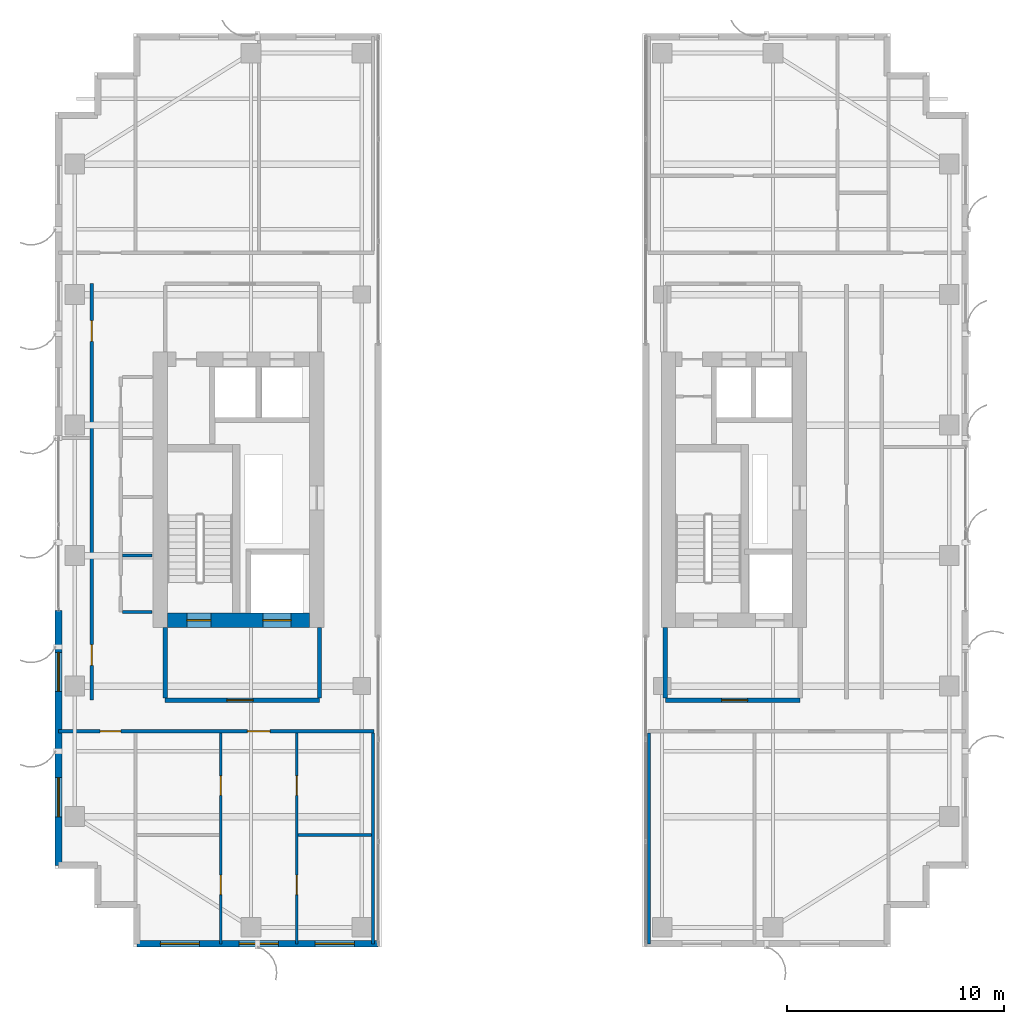
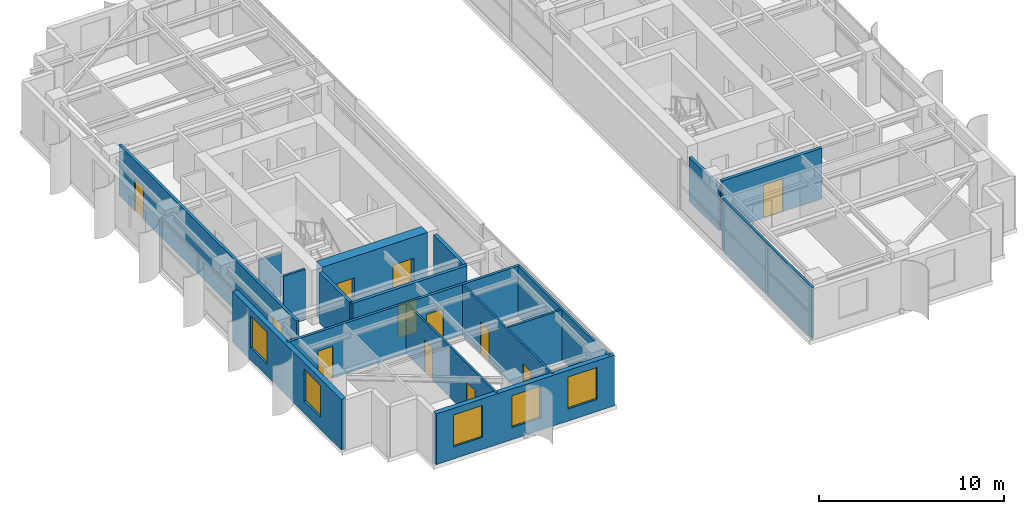
# One storey, part 16 of 22: 17 walls, 12 doors, 5 windows, 17 openings.
"""IFC4 building model written with IfcOpenShell, lengths in metres."""

from ifc_helpers import new_model, si_unit, direction, frame, frame_2d, origin, place, context, subcontext, project, spatial, rectangle, extrude, source, transform, mapped, material, layer, layer_set, type_object, element, fill, save


model = new_model("IFC4")

# Units and contexts
model_context = context("Model", 3, precision=1e-05, world=origin(), true_north=direction((0.0, 1.0)))
body_context = subcontext(model_context, "Body", "Model", "MODEL_VIEW")
ifc_project = project(units=[si_unit("LENGTHUNIT", "METRE"), si_unit("AREAUNIT", "SQUARE_METRE"), si_unit("VOLUMEUNIT", "CUBIC_METRE"), si_unit("PLANEANGLEUNIT", "RADIAN"), si_unit("MASSUNIT", "GRAM", prefix="KILO")], contexts=[model_context])

# Site, building, storey
site_placement = place(None, origin())
site = spatial("IfcSite", under=ifc_project, at=site_placement, CompositionType="ELEMENT")
building_placement = place(site_placement, origin())
building = spatial("IfcBuilding", under=site, at=building_placement, Name="Khoralis Quay Care Tower", CompositionType="ELEMENT")
storey_placement = place(building_placement, frame((0.0, 0.0, 209.699951171875)))
storey = spatial("IfcBuildingStorey", under=building, at=storey_placement, Name="L55", CompositionType="ELEMENT", Elevation=209.699951171875)

# Wall, opening, door
ifc_material_1 = material(Name="Gypsum plasterboard on acoustic metal stud")
ifc_layer_1 = layer(ifc_material_1, 0.199951171875)
ifc_layer_set_1 = layer_set([ifc_layer_1], Name="Gypsum plasterboard on acoustic metal stud")
wall_type_1 = type_object("IfcWallType", Name="WL-COMP-200", PredefinedType="PARTITIONING", material=ifc_layer_set_1)
wall_1_placement = place(storey_placement, frame((8.050048828125, 11.35009765625, 0.0), z_axis=(0.0, 0.0, 1.0), x_axis=(1.0, 0.0, 0.0)))
wall_1 = element("IfcWall", 1, at=wall_1_placement, inside=storey, type_object=wall_type_1, Name="L55 West Firefighting Lobby South Wall", PredefinedType="PARTITIONING", context=body_context, shape_type="SweptSolid", body=[
    extrude(rectangle(XDim=7.099853515625, YDim=0.199951171875, at=frame_2d((3.5498046875, 0.0))), origin(), (0.0, 0.0, 1.0), 3.340087890625),
])
opening_1_placement = place(wall_1_placement, frame((2.846435546875, 0.0, 0.0)))
opening_1 = element("IfcOpeningElement", 2, at=opening_1_placement, cuts=wall_1, Name="Opening FD1", PredefinedType="OPENING", context=body_context, shape_type="SweptSolid", body=[
    extrude(rectangle(XDim=1.199951171875, YDim=2.199951171875, at=frame_2d((0.60009765625, 1.10009765625))), frame((0.0, 0.10986328125, 0.0), z_axis=(0.0, -1.0, 0.0), x_axis=(1.0, 0.0, 0.0)), (0.0, 0.0, 1.0), 0.219970703125),
])
ifc_material_2 = material(Name="Fire-rated painted steel", Category="steel")
door_type_1 = type_object("IfcDoorType", Name="DR-FFL-1200X2200", OperationType="NOTDEFINED", PredefinedType="DOOR", material=ifc_material_2)
shared_shape_1 = source(origin(), body_context, "Body", "SweptSolid", [
    extrude(rectangle(XDim=1.199951171875, YDim=2.199951171875, at=frame_2d((0.60009765625, 1.10009765625))), frame((0.0, 0.02490234375, 0.0), z_axis=(0.0, -1.0, 0.0), x_axis=(1.0, 0.0, 0.0)), (0.0, 0.0, 1.0), 0.050048828125),
])
door_1_placement = place(opening_1_placement, origin())
door_1 = element("IfcDoor", 3, at=door_1_placement, inside=storey, type_object=door_type_1, Name="L55 West Firefighting Lobby Fire Door", OperationType="SINGLE_SWING_LEFT", OverallHeight=2.199951171875, OverallWidth=1.199951171875, PredefinedType="DOOR", context=body_context, shape_type="MappedRepresentation", body=[
    mapped(shared_shape_1, transform((0.0, 0.0, 0.0), scale=1.0)),
])
fill(opening_1, door_1)

# Walls
for number, where, z_axis, x_axis, name in (
    (4, (8.050048828125, 11.445068359375, 0.0), (0.0, 0.0, 1.0), (0.0, 1.0, 0.0), "L55 West Firefighting Lobby West Wall"),
    (5, (15.14990234375, 11.445068359375, 0.0), (0.0, 0.0, 1.0), (0.0, 1.0, 0.0), "L55 West Firefighting Lobby East Wall"),
):
    element("IfcWall", number, at=place(storey_placement, frame(where, z_axis=z_axis, x_axis=x_axis)), inside=storey, type_object=wall_type_1, Name=name, PredefinedType="PARTITIONING", context=body_context, shape_type="SweptSolid", body=[
        extrude(rectangle(XDim=3.23486328125, YDim=0.199951171875, at=frame_2d((1.617431640625, 0.0))), origin(), (0.0, 0.0, 1.0), 3.340087890625),
    ])

# Wall, opening, door
wall_2_placement = place(storey_placement, frame((31.050048828125, 11.35009765625, 0.0), z_axis=(0.0, 0.0, 1.0), x_axis=(1.0, 0.0, 0.0)))
wall_2 = element("IfcWall", 6, at=wall_2_placement, inside=storey, type_object=wall_type_1, Name="L55 East Firefighting Lobby South Wall", PredefinedType="PARTITIONING", context=body_context, shape_type="SweptSolid", body=[
    extrude(rectangle(XDim=6.199951171875, YDim=0.199951171875, at=frame_2d((3.10009765625, 0.0))), origin(), (0.0, 0.0, 1.0), 3.340087890625),
])
opening_2_placement = place(wall_2_placement, frame((2.585693359375, 0.0, 0.0)))
opening_2 = element("IfcOpeningElement", 7, at=opening_2_placement, cuts=wall_2, Name="Opening FD1", PredefinedType="OPENING", context=body_context, shape_type="SweptSolid", body=[
    extrude(rectangle(XDim=1.199951171875, YDim=2.199951171875, at=frame_2d((0.60009765625, 1.10009765625))), frame((0.0, 0.10986328125, 0.0), z_axis=(0.0, -1.0, 0.0), x_axis=(1.0, 0.0, 0.0)), (0.0, 0.0, 1.0), 0.219970703125),
])
door_2_placement = place(opening_2_placement, origin())
door_2 = element("IfcDoor", 8, at=door_2_placement, inside=storey, type_object=door_type_1, Name="L55 East Firefighting Lobby Fire Door", OperationType="SINGLE_SWING_RIGHT", OverallHeight=2.199951171875, OverallWidth=1.199951171875, PredefinedType="DOOR", context=body_context, shape_type="MappedRepresentation", body=[
    mapped(shared_shape_1, transform((0.0, 0.0, 0.0), scale=1.0)),
])
fill(opening_2, door_2)

# Wall
wall_3_placement = place(storey_placement, frame((31.050048828125, 11.445068359375, 0.0), z_axis=(0.0, 0.0, 1.0), x_axis=(0.0, 1.0, 0.0)))
element("IfcWall", 9, at=wall_3_placement, inside=storey, type_object=wall_type_1, Name="L55 East Firefighting Lobby West Wall", PredefinedType="PARTITIONING", context=body_context, shape_type="SweptSolid", body=[
    extrude(rectangle(XDim=3.23486328125, YDim=0.199951171875, at=frame_2d((1.617431640625, 0.0))), origin(), (0.0, 0.0, 1.0), 2.881103515625),
])

# Wall, openings, doors
ifc_material_3 = material(Name="Concrete C65/80", Category="concrete")
ifc_layer_2 = layer(ifc_material_3, 0.64990234375)
ifc_layer_set_2 = layer_set([ifc_layer_2], Name="Concrete C65/80")
wall_type_2 = type_object("IfcWallType", Name="WL-CORE-650", PredefinedType="SHEAR", material=ifc_layer_set_2)
wall_4_placement = place(storey_placement, frame((8.14990234375, 15.02490234375, 0.0), z_axis=(0.0, 0.0, 1.0), x_axis=(1.0, 0.0, 0.0)))
wall_4 = element("IfcWall", 10, at=wall_4_placement, inside=storey, type_object=wall_type_2, Name="L55 WCORE South Shear Wall", PredefinedType="SHEAR", context=body_context, shape_type="SweptSolid", body=[
    extrude(rectangle(XDim=6.550048828125, YDim=0.64990234375, at=frame_2d((3.27490234375, 0.0))), origin(), (0.0, 0.0, 1.0), 3.60009765625),
])
opening_3_placement = place(wall_4_placement, frame((0.89990234375, 0.0, 0.0)))
opening_3 = element("IfcOpeningElement", 11, at=opening_3_placement, cuts=wall_4, Name="Opening SD1", PredefinedType="OPENING", context=body_context, shape_type="SweptSolid", body=[
    extrude(rectangle(XDim=1.10009765625, YDim=2.199951171875, at=frame_2d((0.550048828125, 1.10009765625))), frame((0.0, 0.3349609375, 0.0), z_axis=(0.0, -1.0, 0.0), x_axis=(1.0, 0.0, 0.0)), (0.0, 0.0, 1.0), 0.669921875),
])
opening_4_placement = place(wall_4_placement, frame((4.39990234375, 0.0, 0.0)))
opening_4 = element("IfcOpeningElement", 12, at=opening_4_placement, cuts=wall_4, Name="Opening LD2", PredefinedType="OPENING", context=body_context, shape_type="SweptSolid", body=[
    extrude(rectangle(XDim=1.300048828125, YDim=2.199951171875, at=frame_2d((0.64990234375, 1.10009765625))), frame((0.0, 0.3349609375, 0.0), z_axis=(0.0, -1.0, 0.0), x_axis=(1.0, 0.0, 0.0)), (0.0, 0.0, 1.0), 0.669921875),
])
door_type_2 = type_object("IfcDoorType", Name="DR-STAIR-1100X2200", OperationType="NOTDEFINED", PredefinedType="DOOR", material=ifc_material_2)
shared_shape_2 = source(origin(), body_context, "Body", "SweptSolid", [
    extrude(rectangle(XDim=1.10009765625, YDim=2.199951171875, at=frame_2d((0.550048828125, 1.10009765625))), frame((0.0, 0.02490234375, 0.0), z_axis=(0.0, -1.0, 0.0), x_axis=(1.0, 0.0, 0.0)), (0.0, 0.0, 1.0), 0.050048828125),
])
door_3_placement = place(opening_3_placement, origin())
door_3 = element("IfcDoor", 13, at=door_3_placement, inside=storey, type_object=door_type_2, Name="L55 Stair ST-T1 Fire Door", OperationType="SINGLE_SWING_LEFT", OverallHeight=2.199951171875, OverallWidth=1.10009765625, PredefinedType="DOOR", context=body_context, shape_type="MappedRepresentation", body=[
    mapped(shared_shape_2, transform((0.0, 0.0, 0.0), scale=1.0)),
])
fill(opening_3, door_3)
ifc_material_4 = material(Name="Brushed stainless steel", Category="steel")
door_type_3 = type_object("IfcDoorType", Name="DR-LIFT-1300X2200", OperationType="SLIDING_TO_RIGHT", PredefinedType="DOOR", material=ifc_material_4)
shared_shape_3 = source(origin(), body_context, "Body", "SweptSolid", [
    extrude(rectangle(XDim=1.300048828125, YDim=2.199951171875, at=frame_2d((0.64990234375, 1.10009765625))), frame((0.0, 0.02490234375, 0.0), z_axis=(0.0, -1.0, 0.0), x_axis=(1.0, 0.0, 0.0)), (0.0, 0.0, 1.0), 0.050048828125),
])
door_4_placement = place(opening_4_placement, origin())
door_4 = element("IfcDoor", 14, at=door_4_placement, inside=storey, type_object=door_type_3, Name="L55 Firefighting Lift FFL-1 Landing Door", OperationType="SLIDING_TO_RIGHT", OverallHeight=2.199951171875, OverallWidth=1.300048828125, PredefinedType="DOOR", context=body_context, shape_type="MappedRepresentation", body=[
    mapped(shared_shape_3, transform((0.0, 0.0, 0.0), scale=1.0)),
])
fill(opening_4, door_4)

ifc_layer_3 = layer(ifc_material_1, 0.1650390625)
ifc_layer_set_3 = layer_set([ifc_layer_3], Name="Gypsum plasterboard on acoustic metal stud")
wall_type_3 = type_object("IfcWallType", Name="WL-CORR-165", PredefinedType="PARTITIONING", material=ifc_layer_set_3)
wall_5_placement = place(storey_placement, frame((3.14501953125, 9.919921875, 0.0), z_axis=(0.0, 0.0, 1.0), x_axis=(1.0, 0.0, 0.0)))
wall_5 = element("IfcWall", 15, at=wall_5_placement, inside=storey, type_object=wall_type_3, Name="L55 West Wing South Corridor Wall", PredefinedType="PARTITIONING", context=body_context, shape_type="SweptSolid", body=[
    extrude(rectangle(XDim=14.5048828125, YDim=0.1650390625, at=frame_2d((7.25244140625, 0.0))), origin(), (0.0, 0.0, 1.0), 3.340087890625),
])
opening_5_placement = place(wall_5_placement, frame((8.6884765625, 0.0, 0.0)))
opening_5 = element("IfcOpeningElement", 16, at=opening_5_placement, cuts=wall_5, Name="Opening UD1", PredefinedType="OPENING", context=body_context, shape_type="SweptSolid", body=[
    extrude(rectangle(XDim=1.050048828125, YDim=2.14990234375, at=frame_2d((0.52490234375, 1.074951171875))), frame((0.0, 0.092529296875, 0.0), z_axis=(0.0, -1.0, 0.0), x_axis=(1.0, 0.0, 0.0)), (0.0, 0.0, 1.0), 0.18505859375),
])
opening_6_placement = place(wall_5_placement, frame((1.919921875, 0.0, 0.0)))
opening_6 = element("IfcOpeningElement", 17, at=opening_6_placement, cuts=wall_5, Name="Opening ID1", PredefinedType="OPENING", context=body_context, shape_type="SweptSolid", body=[
    extrude(rectangle(XDim=0.949951171875, YDim=2.10009765625, at=frame_2d((0.47509765625, 1.050048828125))), frame((0.0, 0.092529296875, 0.0), z_axis=(0.0, -1.0, 0.0), x_axis=(1.0, 0.0, 0.0)), (0.0, 0.0, 1.0), 0.18505859375),
])
ifc_material_5 = material(Name="Acoustic hardwood timber", Category="wood")
door_type_4 = type_object("IfcDoorType", Name="DR-ROOM-950X2100", OperationType="NOTDEFINED", PredefinedType="DOOR", material=ifc_material_5)
shared_shape_4 = source(origin(), body_context, "Body", "SweptSolid", [
    extrude(rectangle(XDim=0.949951171875, YDim=2.10009765625, at=frame_2d((0.47509765625, 1.050048828125))), frame((0.0, 0.02490234375, 0.0), z_axis=(0.0, -1.0, 0.0), x_axis=(1.0, 0.0, 0.0)), (0.0, 0.0, 1.0), 0.050048828125),
])
door_5_placement = place(opening_6_placement, frame((0.949951171875, 0.0, 0.0), z_axis=(0.0, 0.0, 1.0), x_axis=(-1.0, 0.0, 0.0)))
door_5 = element("IfcDoor", 18, at=door_5_placement, inside=storey, type_object=door_type_4, Name="L55 SW Corner Door", OperationType="SINGLE_SWING_LEFT", OverallHeight=2.10009765625, OverallWidth=0.949951171875, PredefinedType="DOOR", context=body_context, shape_type="MappedRepresentation", body=[
    mapped(shared_shape_4, transform((0.0, 0.0, 0.0), scale=1.0)),
])
fill(opening_6, door_5)
door_type_5 = type_object("IfcDoorType", Name="DR-SUITE-1050X2150", OperationType="NOTDEFINED", PredefinedType="DOOR", material=ifc_material_5)
shared_shape_5 = source(origin(), body_context, "Body", "SweptSolid", [
    extrude(rectangle(XDim=1.050048828125, YDim=2.14990234375, at=frame_2d((0.52490234375, 1.074951171875))), frame((0.0, 0.02490234375, 0.0), z_axis=(0.0, -1.0, 0.0), x_axis=(1.0, 0.0, 0.0)), (0.0, 0.0, 1.0), 0.050048828125),
])
door_6_placement = place(opening_5_placement, frame((1.050048828125, 0.0, 0.0), z_axis=(0.0, 0.0, 1.0), x_axis=(-1.0, 0.0, 0.0)))
door_6 = element("IfcDoor", 19, at=door_6_placement, inside=storey, type_object=door_type_5, Name="L55 2BR WS0 Entrance", OperationType="SINGLE_SWING_RIGHT", OverallHeight=2.14990234375, OverallWidth=1.050048828125, PredefinedType="DOOR", context=body_context, shape_type="MappedRepresentation", body=[
    mapped(shared_shape_5, transform((0.0, 0.0, 0.0), scale=1.0)),
])
fill(opening_5, door_6)

wall_6_placement = place(storey_placement, frame((4.679931640625, 11.35009765625, 0.0), z_axis=(0.0, 0.0, 1.0), x_axis=(0.0, 1.0, 0.0)))
wall_6 = element("IfcWall", 20, at=wall_6_placement, inside=storey, type_object=wall_type_3, Name="L55 West Mid South Entry Wall", PredefinedType="PARTITIONING", context=body_context, shape_type="SweptSolid", body=[
    extrude(rectangle(XDim=19.14990234375, YDim=0.1650390625, at=frame_2d((9.574951171875, 0.0))), origin(), (0.0, 0.0, 1.0), 3.340087890625),
])
opening_7_placement = place(wall_6_placement, frame((1.60009765625, 0.0, 0.0)))
opening_7 = element("IfcOpeningElement", 21, at=opening_7_placement, cuts=wall_6, Name="Opening ID1", PredefinedType="OPENING", context=body_context, shape_type="SweptSolid", body=[
    extrude(rectangle(XDim=0.949951171875, YDim=2.10009765625, at=frame_2d((0.47509765625, 1.050048828125))), frame((0.0, 0.092529296875, 0.0), z_axis=(0.0, -1.0, 0.0), x_axis=(1.0, 0.0, 0.0)), (0.0, 0.0, 1.0), 0.18505859375),
])
opening_8_placement = place(wall_6_placement, frame((16.5, 0.0, 0.0)))
opening_8 = element("IfcOpeningElement", 22, at=opening_8_placement, cuts=wall_6, Name="Opening ID1", PredefinedType="OPENING", context=body_context, shape_type="SweptSolid", body=[
    extrude(rectangle(XDim=0.949951171875, YDim=2.10009765625, at=frame_2d((0.47509765625, 1.050048828125))), frame((0.0, 0.092529296875, 0.0), z_axis=(0.0, -1.0, 0.0), x_axis=(1.0, 0.0, 0.0)), (0.0, 0.0, 1.0), 0.18505859375),
])
door_7_placement = place(opening_7_placement, frame((0.949951171875, 0.0, 0.0), z_axis=(0.0, 0.0, 1.0), x_axis=(-1.0, 0.0, 0.0)))
door_7 = element("IfcDoor", 23, at=door_7_placement, inside=storey, type_object=door_type_4, Name="L55 West Daylight Care Bedroom Door", OperationType="SINGLE_SWING_LEFT", OverallHeight=2.10009765625, OverallWidth=0.949951171875, PredefinedType="DOOR", context=body_context, shape_type="MappedRepresentation", body=[
    mapped(shared_shape_4, transform((0.0, 0.0, 0.0), scale=1.0)),
])
fill(opening_7, door_7)
door_8_placement = place(opening_8_placement, frame((0.949951171875, 0.0, 0.0), z_axis=(0.0, 0.0, 1.0), x_axis=(-1.0, 0.0, 0.0)))
door_8 = element("IfcDoor", 24, at=door_8_placement, inside=storey, type_object=door_type_4, Name="L55 West Waterfront Living Suite Door", OperationType="SINGLE_SWING_RIGHT", OverallHeight=2.10009765625, OverallWidth=0.949951171875, PredefinedType="DOOR", context=body_context, shape_type="MappedRepresentation", body=[
    mapped(shared_shape_4, transform((0.0, 0.0, 0.0), scale=1.0)),
])
fill(opening_8, door_8)

# Wall, openings, windows
ifc_material_6 = material(Name="Precast concrete C45/55", Category="concrete")
ifc_layer_4 = layer(ifc_material_6, 0.300048828125)
ifc_layer_set_4 = layer_set([ifc_layer_4], Name="Precast concrete C45/55")
wall_type_4 = type_object("IfcWallType", Name="WL-EXT-REF-300", PredefinedType="SOLIDWALL", material=ifc_layer_set_4)
wall_7_placement = place(storey_placement, frame((6.75, 0.14990234375, 0.0), z_axis=(0.0, 0.0, 1.0), x_axis=(1.0, 0.0, 0.0)))
wall_7 = element("IfcWall", 25, at=wall_7_placement, inside=storey, type_object=wall_type_4, Name="L55 External Facade Wall WL-EXT-L55-P1-E0", PredefinedType="SOLIDWALL", context=body_context, shape_type="SweptSolid", body=[
    extrude(rectangle(XDim=11.10009765625, YDim=0.300048828125, at=frame_2d((5.550048828125, 0.0))), origin(), (0.0, 0.0, 1.0), 3.340087890625),
])
opening_9_placement = place(wall_7_placement, frame((1.08056640625, 0.0, 0.800048828125)))
opening_9 = element("IfcOpeningElement", 26, at=opening_9_placement, cuts=wall_7, Name="Opening W2", PredefinedType="OPENING", context=body_context, shape_type="SweptSolid", body=[
    extrude(rectangle(XDim=1.800048828125, YDim=2.10009765625, at=frame_2d((0.89990234375, 1.050048828125))), frame((0.0, 0.16015625, 0.0), z_axis=(0.0, -1.0, 0.0), x_axis=(1.0, 0.0, 0.0)), (0.0, 0.0, 1.0), 0.320068359375),
])
opening_10_placement = place(wall_7_placement, frame((4.70849609375, 0.0, 0.800048828125)))
opening_10 = element("IfcOpeningElement", 27, at=opening_10_placement, cuts=wall_7, Name="Opening W2", PredefinedType="OPENING", context=body_context, shape_type="SweptSolid", body=[
    extrude(rectangle(XDim=1.800048828125, YDim=2.10009765625, at=frame_2d((0.89990234375, 1.050048828125))), frame((0.0, 0.16015625, 0.0), z_axis=(0.0, -1.0, 0.0), x_axis=(1.0, 0.0, 0.0)), (0.0, 0.0, 1.0), 0.320068359375),
])
opening_11_placement = place(wall_7_placement, frame((8.202880859375, 0.0, 0.800048828125)))
opening_11 = element("IfcOpeningElement", 28, at=opening_11_placement, cuts=wall_7, Name="Opening W2", PredefinedType="OPENING", context=body_context, shape_type="SweptSolid", body=[
    extrude(rectangle(XDim=1.800048828125, YDim=2.10009765625, at=frame_2d((0.89990234375, 1.050048828125))), frame((0.0, 0.16015625, 0.0), z_axis=(0.0, -1.0, 0.0), x_axis=(1.0, 0.0, 0.0)), (0.0, 0.0, 1.0), 0.320068359375),
])
ifc_material_7 = material(Name="Low-E solar-control double glazing", Category="glass")
window_type = type_object("IfcWindowType", Name="WN-POD-1800X2100", PartitioningType="SINGLE_PANEL", PredefinedType="WINDOW", material=ifc_material_7)
shared_shape_6 = source(origin(), body_context, "Body", "SweptSolid", [
    extrude(rectangle(XDim=1.800048828125, YDim=2.10009765625, at=frame_2d((0.89990234375, 1.050048828125))), frame((0.0, 0.030029296875, 0.0), z_axis=(0.0, -1.0, 0.0), x_axis=(1.0, 0.0, 0.0)), (0.0, 0.0, 1.0), 0.06005859375),
])
window_1_placement = place(opening_9_placement, origin())
window_1 = element("IfcWindow", 29, at=window_1_placement, inside=storey, type_object=window_type, Name="WN-L55-P1-E0 Facade Window 01", OverallHeight=2.10009765625, OverallWidth=1.800048828125, PartitioningType="SINGLE_PANEL", PredefinedType="WINDOW", context=body_context, shape_type="MappedRepresentation", body=[
    mapped(shared_shape_6, transform((0.0, 0.0, 0.0), scale=1.0)),
])
fill(opening_9, window_1)
window_2_placement = place(opening_10_placement, origin())
window_2 = element("IfcWindow", 30, at=window_2_placement, inside=storey, type_object=window_type, Name="WN-L55-P1-E0 Facade Window 02", OverallHeight=2.10009765625, OverallWidth=1.800048828125, PartitioningType="SINGLE_PANEL", PredefinedType="WINDOW", context=body_context, shape_type="MappedRepresentation", body=[
    mapped(shared_shape_6, transform((0.0, 0.0, 0.0), scale=1.0)),
])
fill(opening_10, window_2)
window_3_placement = place(opening_11_placement, origin())
window_3 = element("IfcWindow", 31, at=window_3_placement, inside=storey, type_object=window_type, Name="WN-L55-P1-E0 Facade Window 03", OverallHeight=2.10009765625, OverallWidth=1.800048828125, PartitioningType="SINGLE_PANEL", PredefinedType="WINDOW", context=body_context, shape_type="MappedRepresentation", body=[
    mapped(shared_shape_6, transform((0.0, 0.0, 0.0), scale=1.0)),
])
fill(opening_11, window_3)

wall_8_placement = place(storey_placement, frame((3.14990234375, 15.47998046875, 0.0), z_axis=(0.0, 0.0, 1.0), x_axis=(0.0, -1.0, 0.0)))
wall_8 = element("IfcWall", 32, at=wall_8_placement, inside=storey, type_object=wall_type_4, Name="L55 External Facade Wall WL-EXT-L55-P1-E7B", PredefinedType="SOLIDWALL", context=body_context, shape_type="SweptSolid", body=[
    extrude(rectangle(XDim=11.72998046875, YDim=0.300048828125, at=frame_2d((5.864990234375, 0.0))), origin(), (0.0, 0.0, 1.0), 3.340087890625),
])
opening_12_placement = place(wall_8_placement, frame((1.929931640625, 0.0, 0.800048828125)))
opening_12 = element("IfcOpeningElement", 33, at=opening_12_placement, cuts=wall_8, Name="Opening W2", PredefinedType="OPENING", context=body_context, shape_type="SweptSolid", body=[
    extrude(rectangle(XDim=1.800048828125, YDim=2.10009765625, at=frame_2d((0.89990234375, 1.050048828125))), frame((0.0, 0.16015625, 0.0), z_axis=(0.0, -1.0, 0.0), x_axis=(1.0, 0.0, 0.0)), (0.0, 0.0, 1.0), 0.320068359375),
])
opening_13_placement = place(wall_8_placement, frame((7.695068359375, 0.0, 0.800048828125)))
opening_13 = element("IfcOpeningElement", 34, at=opening_13_placement, cuts=wall_8, Name="Opening W2", PredefinedType="OPENING", context=body_context, shape_type="SweptSolid", body=[
    extrude(rectangle(XDim=1.800048828125, YDim=2.10009765625, at=frame_2d((0.89990234375, 1.050048828125))), frame((0.0, 0.16015625, 0.0), z_axis=(0.0, -1.0, 0.0), x_axis=(1.0, 0.0, 0.0)), (0.0, 0.0, 1.0), 0.320068359375),
])
window_4_placement = place(opening_12_placement, origin())
window_4 = element("IfcWindow", 35, at=window_4_placement, inside=storey, type_object=window_type, Name="WN-L55-P1-E7B Facade Window 01", OverallHeight=2.10009765625, OverallWidth=1.800048828125, PartitioningType="SINGLE_PANEL", PredefinedType="WINDOW", context=body_context, shape_type="MappedRepresentation", body=[
    mapped(shared_shape_6, transform((0.0, 0.0, 0.0), scale=1.0)),
])
fill(opening_12, window_4)
window_5_placement = place(opening_13_placement, origin())
window_5 = element("IfcWindow", 36, at=window_5_placement, inside=storey, type_object=window_type, Name="WN-L55-P1-E7B Facade Window 02", OverallHeight=2.10009765625, OverallWidth=1.800048828125, PartitioningType="SINGLE_PANEL", PredefinedType="WINDOW", context=body_context, shape_type="MappedRepresentation", body=[
    mapped(shared_shape_6, transform((0.0, 0.0, 0.0), scale=1.0)),
])
fill(opening_13, window_5)

# Wall, openings, doors
ifc_layer_5 = layer(ifc_material_1, 0.114990234375)
ifc_layer_set_5 = layer_set([ifc_layer_5], Name="Gypsum plasterboard on acoustic metal stud")
wall_type_5 = type_object("IfcWallType", Name="WL-PART-115", PredefinedType="PARTITIONING", material=ifc_layer_set_5)
wall_9_placement = place(storey_placement, frame((10.611083984375, 0.14501953125, 0.0), z_axis=(0.0, 0.0, 1.0), x_axis=(0.0, 1.0, 0.0)))
wall_9 = element("IfcWall", 37, at=wall_9_placement, inside=storey, type_object=wall_type_5, Name="L55 2BR 0 Left Wall", PredefinedType="PARTITIONING", context=body_context, shape_type="SweptSolid", body=[
    extrude(rectangle(XDim=9.697509765625, YDim=0.114990234375, at=frame_2d((4.8486328125, 0.0))), origin(), (0.0, 0.0, 1.0), 3.340087890625),
])
opening_14_placement = place(wall_9_placement, frame((2.259033203125, 0.0, 0.0)))
opening_14 = element("IfcOpeningElement", 38, at=opening_14_placement, cuts=wall_9, Name="Opening WD1", PredefinedType="OPENING", context=body_context, shape_type="SweptSolid", body=[
    extrude(rectangle(XDim=0.89990234375, YDim=2.10009765625, at=frame_2d((0.449951171875, 1.050048828125))), frame((0.0, 0.0673828125, 0.0), z_axis=(0.0, -1.0, 0.0), x_axis=(1.0, 0.0, 0.0)), (0.0, 0.0, 1.0), 0.135009765625),
])
opening_15_placement = place(wall_9_placement, frame((6.8291015625, 0.0, 0.0)))
opening_15 = element("IfcOpeningElement", 39, at=opening_15_placement, cuts=wall_9, Name="Opening WD1", PredefinedType="OPENING", context=body_context, shape_type="SweptSolid", body=[
    extrude(rectangle(XDim=0.89990234375, YDim=2.10009765625, at=frame_2d((0.449951171875, 1.050048828125))), frame((0.0, 0.0673828125, 0.0), z_axis=(0.0, -1.0, 0.0), x_axis=(1.0, 0.0, 0.0)), (0.0, 0.0, 1.0), 0.135009765625),
])
door_type_6 = type_object("IfcDoorType", Name="DR-BATH-900X2100", OperationType="NOTDEFINED", PredefinedType="DOOR", material=ifc_material_5)
shared_shape_7 = source(origin(), body_context, "Body", "SweptSolid", [
    extrude(rectangle(XDim=0.89990234375, YDim=2.10009765625, at=frame_2d((0.449951171875, 1.050048828125))), frame((0.0, 0.02490234375, 0.0), z_axis=(0.0, -1.0, 0.0), x_axis=(1.0, 0.0, 0.0)), (0.0, 0.0, 1.0), 0.050048828125),
])
door_9_placement = place(opening_14_placement, origin())
door_9 = element("IfcDoor", 40, at=door_9_placement, inside=storey, type_object=door_type_6, Name="L55 2BR BD1 Door", OperationType="SINGLE_SWING_LEFT", OverallHeight=2.10009765625, OverallWidth=0.89990234375, PredefinedType="DOOR", context=body_context, shape_type="MappedRepresentation", body=[
    mapped(shared_shape_7, transform((0.0, 0.0, 0.0), scale=1.0)),
])
fill(opening_14, door_9)
door_10_placement = place(opening_15_placement, origin())
door_10 = element("IfcDoor", 41, at=door_10_placement, inside=storey, type_object=door_type_6, Name="L55 2BR BTH Door", OperationType="SINGLE_SWING_RIGHT", OverallHeight=2.10009765625, OverallWidth=0.89990234375, PredefinedType="DOOR", context=body_context, shape_type="MappedRepresentation", body=[
    mapped(shared_shape_7, transform((0.0, 0.0, 0.0), scale=1.0)),
])
fill(opening_15, door_10)

wall_10_placement = place(storey_placement, frame((14.10595703125, 0.14501953125, 0.0), z_axis=(0.0, 0.0, 1.0), x_axis=(0.0, 1.0, 0.0)))
wall_10 = element("IfcWall", 42, at=wall_10_placement, inside=storey, type_object=wall_type_5, Name="L55 2BR 0 Right Wall", PredefinedType="PARTITIONING", context=body_context, shape_type="SweptSolid", body=[
    extrude(rectangle(XDim=9.697509765625, YDim=0.114990234375, at=frame_2d((4.8486328125, 0.0))), origin(), (0.0, 0.0, 1.0), 3.340087890625),
])
opening_16_placement = place(wall_10_placement, frame((2.259033203125, 0.0, 0.0)))
opening_16 = element("IfcOpeningElement", 43, at=opening_16_placement, cuts=wall_10, Name="Opening WD1", PredefinedType="OPENING", context=body_context, shape_type="SweptSolid", body=[
    extrude(rectangle(XDim=0.89990234375, YDim=2.10009765625, at=frame_2d((0.449951171875, 1.050048828125))), frame((0.0, 0.0673828125, 0.0), z_axis=(0.0, -1.0, 0.0), x_axis=(1.0, 0.0, 0.0)), (0.0, 0.0, 1.0), 0.135009765625),
])
opening_17_placement = place(wall_10_placement, frame((6.8291015625, 0.0, 0.0)))
opening_17 = element("IfcOpeningElement", 44, at=opening_17_placement, cuts=wall_10, Name="Opening WD1", PredefinedType="OPENING", context=body_context, shape_type="SweptSolid", body=[
    extrude(rectangle(XDim=0.89990234375, YDim=2.10009765625, at=frame_2d((0.449951171875, 1.050048828125))), frame((0.0, 0.0673828125, 0.0), z_axis=(0.0, -1.0, 0.0), x_axis=(1.0, 0.0, 0.0)), (0.0, 0.0, 1.0), 0.135009765625),
])
door_11_placement = place(opening_16_placement, frame((0.89990234375, 0.0, 0.0), z_axis=(0.0, 0.0, 1.0), x_axis=(-1.0, 0.0, 0.0)))
door_11 = element("IfcDoor", 45, at=door_11_placement, inside=storey, type_object=door_type_6, Name="L55 2BR BD2 Door", OperationType="SINGLE_SWING_LEFT", OverallHeight=2.10009765625, OverallWidth=0.89990234375, PredefinedType="DOOR", context=body_context, shape_type="MappedRepresentation", body=[
    mapped(shared_shape_7, transform((0.0, 0.0, 0.0), scale=1.0)),
])
fill(opening_16, door_11)
door_12_placement = place(opening_17_placement, frame((0.89990234375, 0.0, 0.0), z_axis=(0.0, 0.0, 1.0), x_axis=(-1.0, 0.0, 0.0)))
door_12 = element("IfcDoor", 46, at=door_12_placement, inside=storey, type_object=door_type_6, Name="L55 2BR KIT Door", OperationType="SINGLE_SWING_RIGHT", OverallHeight=2.10009765625, OverallWidth=0.89990234375, PredefinedType="DOOR", context=body_context, shape_type="MappedRepresentation", body=[
    mapped(shared_shape_7, transform((0.0, 0.0, 0.0), scale=1.0)),
])
fill(opening_17, door_12)

# Walls
ifc_material_8 = material(Name="Moisture-resistant gypsum and ceramic tile")
ifc_layer_6 = layer(ifc_material_8, 0.280029296875)
ifc_layer_set_6 = layer_set([ifc_layer_6], Name="Moisture-resistant gypsum and ceramic tile")
wall_type_6 = type_object("IfcWallType", Name="WL-PLUMB-280", PredefinedType="PLUMBINGWALL", material=ifc_layer_set_6)
wall_11_placement = place(storey_placement, frame((6.097412109375, 18.0, 0.0), z_axis=(0.0, 0.0, 1.0), x_axis=(1.0, 0.0, 0.0)))
element("IfcWall", 47, at=wall_11_placement, inside=storey, type_object=wall_type_6, Name="L55 West Flank Divider 1", PredefinedType="PLUMBINGWALL", context=body_context, shape_type="SweptSolid", body=[
    extrude(rectangle(XDim=1.362548828125, YDim=0.139892578125, at=frame_2d((0.68115234375, 0.0))), origin(), (0.0, 0.0, 1.0), 2.840087890625),
])
wall_12_placement = place(storey_placement, frame((14.158447265625, 5.157958984375, 0.0), z_axis=(0.0, 0.0, 1.0), x_axis=(1.0, 0.0, 0.0)))
element("IfcWall", 48, at=wall_12_placement, inside=storey, type_object=wall_type_6, Name="L55 2BR 0 Right Split", PredefinedType="PLUMBINGWALL", context=body_context, shape_type="SweptSolid", body=[
    extrude(rectangle(XDim=3.37646484375, YDim=0.139892578125, at=frame_2d((1.688232421875, 0.0))), origin(), (0.0, 0.0, 1.0), 3.340087890625),
])
ifc_layer_7 = layer(ifc_material_1, 0.139892578125)
ifc_layer_set_7 = layer_set([ifc_layer_7], Name="Gypsum plasterboard on acoustic metal stud")
wall_type_7 = type_object("IfcWallType", Name="WL-UNIT-140", PredefinedType="PARTITIONING", material=ifc_layer_set_7)
wall_13_placement = place(storey_placement, frame((6.097412109375, 15.39990234375, 0.0), z_axis=(0.0, 0.0, 1.0), x_axis=(1.0, 0.0, 0.0)))
element("IfcWall", 49, at=wall_13_placement, inside=storey, type_object=wall_type_7, Name="L55 West Flank South Cap", PredefinedType="PARTITIONING", context=body_context, shape_type="SweptSolid", body=[
    extrude(rectangle(XDim=1.362548828125, YDim=0.139892578125, at=frame_2d((0.68115234375, 0.0))), origin(), (0.0, 0.0, 1.0), 3.340087890625),
])
for number, where, z_axis, x_axis, name in (
    (50, (17.60009765625, 0.14501953125, 0.0), (0.0, 0.0, 1.0), (0.0, 1.0, 0.0), "L55 WS Demising Wall 1"),
    (51, (30.300048828125, 0.14501953125, 0.0), (0.0, 0.0, 1.0), (0.0, 1.0, 0.0), "L55 ES Demising Wall 0"),
):
    element("IfcWall", number, at=place(storey_placement, frame(where, z_axis=z_axis, x_axis=x_axis)), inside=storey, type_object=wall_type_7, Name=name, PredefinedType="PARTITIONING", context=body_context, shape_type="SweptSolid", body=[
        extrude(rectangle(XDim=9.697509765625, YDim=0.139892578125, at=frame_2d((4.8486328125, 0.0))), origin(), (0.0, 0.0, 1.0), 3.340087890625),
    ])

save(model, "model.ifc")
